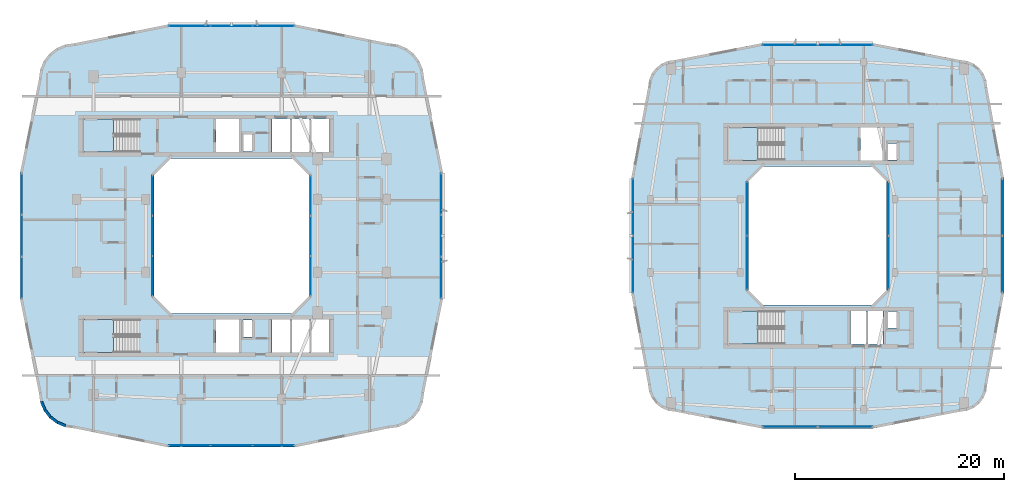
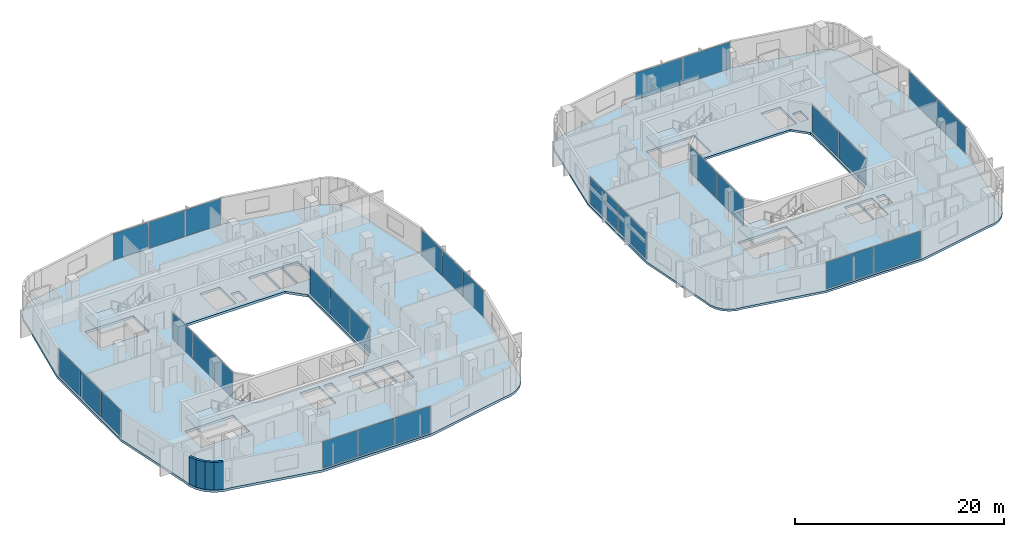
# One storey, part 11 of 26: 30 plates, 6 slabs, 4 walls, 16 elements without a shape of their own.
"""IFC4 building model written with IfcOpenShell, lengths in metres."""

from ifc_helpers import new_model, si_unit, derived_unit, direction, frame, frame_2d, origin, origin_2d, place, context, subcontext, project, spatial, polyline, rectangle, outline, extrude, material, layer, layer_set, type_object, element, aggregate, save


model = new_model("IFC4")

# Units and contexts
model_context = context("Model", 3, precision=1e-05, world=origin(), true_north=direction((0.0, 1.0)))
body_context = subcontext(model_context, "Body", "Model", "MODEL_VIEW")
ifc_project = project(units=[si_unit("LENGTHUNIT", "METRE"), si_unit("AREAUNIT", "SQUARE_METRE"), si_unit("VOLUMEUNIT", "CUBIC_METRE"), si_unit("PLANEANGLEUNIT", "RADIAN"), si_unit("MASSUNIT", "GRAM", prefix="KILO"), derived_unit("THERMALTRANSMITTANCEUNIT", [(si_unit("POWERUNIT", "WATT"), 1), (si_unit("LENGTHUNIT", "METRE"), -2), (si_unit("THERMODYNAMICTEMPERATUREUNIT", "KELVIN"), -1)])], contexts=[model_context])

# Site, building, storey
site_placement = place(None, origin())
site = spatial("IfcSite", under=ifc_project, at=site_placement, CompositionType="ELEMENT")
building_placement = place(site_placement, origin())
building = spatial("IfcBuilding", under=site, at=building_placement, Name="Kivonza Crest Hotel", CompositionType="ELEMENT")
storey_placement = place(building_placement, frame((0.0, 0.0, 105.5)))
storey = spatial("IfcBuildingStorey", under=building, at=storey_placement, Name="L28", CompositionType="ELEMENT", Elevation=105.5)

# Curtain wall, plates
ifc_material_1 = material(Name="Anodised bronze aluminium and low-E double glazing", Category="aluminium")
ifc_layer_1 = layer(ifc_material_1, 0.179931640625)
ifc_layer_set_1 = layer_set([ifc_layer_1], Name="Anodised bronze aluminium and low-E double glazing")
curtain_wall_type_1 = type_object("IfcCurtainWallType", Name="CW-SYS-2", PredefinedType="NOTDEFINED", material=ifc_layer_set_1)
curtain_wall_1_placement = place(storey_placement, origin())
curtain_wall_1 = element("IfcCurtainWall", 1, at=curtain_wall_1_placement, inside=storey, type_object=curtain_wall_type_1, Name="L28 unitised curtain wall CW-T1-L28-08", PredefinedType="NOTDEFINED")
ifc_material_2 = material(Name="Solar-control low-E double glazing", Category="glass")
ifc_layer_2 = layer(ifc_material_2, 0.028076171875)
ifc_layer_set_2 = layer_set([ifc_layer_2], Name="Solar-control low-E double glazing")
plate_type = type_object("IfcPlateType", Name="CW-PNL-28", PredefinedType="CURTAIN_PANEL", material=ifc_layer_set_2)
plate_1_placement = place(storey_placement, frame((17.0029296875, 4.9599609375, 0.06494140625), z_axis=(0.0, 0.0, 1.0), x_axis=(1.0, 0.0, 0.0)))
plate_1 = element("IfcPlate", 2, at=plate_1_placement, type_object=plate_type, Name="CW-2 panel 1.1", PredefinedType="CURTAIN_PANEL", context=body_context, shape_type="SweptSolid", body=[
    extrude(rectangle(XDim=3.915771484375, YDim=0.028076171875, at=origin_2d()), origin(), (0.0, 0.0, 1.0), 3.090087890625),
])
plate_2_placement = place(storey_placement, frame((21.0, 4.9599609375, 0.06494140625), z_axis=(0.0, 0.0, 1.0), x_axis=(1.0, 0.0, 0.0)))
plate_2 = element("IfcPlate", 3, at=plate_2_placement, type_object=plate_type, Name="CW-2 panel 2.1", PredefinedType="CURTAIN_PANEL", context=body_context, shape_type="SweptSolid", body=[
    extrude(rectangle(XDim=3.9482421875, YDim=0.028076171875, at=origin_2d()), origin(), (0.0, 0.0, 1.0), 3.090087890625),
])
plate_3_placement = place(storey_placement, frame((24.9970703125, 4.9599609375, 0.06494140625), z_axis=(0.0, 0.0, 1.0), x_axis=(1.0, 0.0, 0.0)))
plate_3 = element("IfcPlate", 4, at=plate_3_placement, type_object=plate_type, Name="CW-2 panel 3.1", PredefinedType="CURTAIN_PANEL", context=body_context, shape_type="SweptSolid", body=[
    extrude(rectangle(XDim=3.915771484375, YDim=0.028076171875, at=origin_2d()), origin(), (0.0, 0.0, 1.0), 3.090087890625),
])
aggregate(curtain_wall_1, [plate_1, plate_2, plate_3])

curtain_wall_2_placement = place(storey_placement, origin())
curtain_wall_2 = element("IfcCurtainWall", 5, at=curtain_wall_2_placement, inside=storey, type_object=curtain_wall_type_1, Name="L28 unitised curtain wall CW-T1-L28-17", PredefinedType="NOTDEFINED")
plate_4_placement = place(storey_placement, frame((41.0400390625, 21.0029296875, 0.06494140625), z_axis=(0.0, 0.0, 1.0), x_axis=(0.0, 1.0, 0.0)))
plate_4 = element("IfcPlate", 6, at=plate_4_placement, type_object=plate_type, Name="CW-2 panel 1.1", PredefinedType="CURTAIN_PANEL", context=body_context, shape_type="SweptSolid", body=[
    extrude(rectangle(XDim=3.915771484375, YDim=0.028076171875, at=origin_2d()), origin(), (0.0, 0.0, 1.0), 3.090087890625),
])
plate_5_placement = place(storey_placement, frame((41.0400390625, 25.0, 0.06494140625), z_axis=(0.0, 0.0, 1.0), x_axis=(0.0, 1.0, 0.0)))
plate_5 = element("IfcPlate", 7, at=plate_5_placement, type_object=plate_type, Name="CW-2 panel 2.1", PredefinedType="CURTAIN_PANEL", context=body_context, shape_type="SweptSolid", body=[
    extrude(rectangle(XDim=3.9482421875, YDim=0.028076171875, at=origin_2d()), origin(), (0.0, 0.0, 1.0), 3.090087890625),
])
plate_6_placement = place(storey_placement, frame((41.0400390625, 28.9970703125, 0.06494140625), z_axis=(0.0, 0.0, 1.0), x_axis=(0.0, 1.0, 0.0)))
plate_6 = element("IfcPlate", 8, at=plate_6_placement, type_object=plate_type, Name="CW-2 panel 3.1", PredefinedType="CURTAIN_PANEL", context=body_context, shape_type="SweptSolid", body=[
    extrude(rectangle(XDim=3.915771484375, YDim=0.028076171875, at=origin_2d()), origin(), (0.0, 0.0, 1.0), 3.090087890625),
])
aggregate(curtain_wall_2, [plate_4, plate_5, plate_6])

curtain_wall_3_placement = place(storey_placement, origin())
curtain_wall_3 = element("IfcCurtainWall", 9, at=curtain_wall_3_placement, inside=storey, type_object=curtain_wall_type_1, Name="L28 unitised curtain wall CW-T1-L28-26", PredefinedType="NOTDEFINED")
plate_7_placement = place(storey_placement, frame((24.9970703125, 45.0400390625, 0.06494140625), z_axis=(0.0, 0.0, 1.0), x_axis=(-1.0, 0.0, 0.0)))
plate_7 = element("IfcPlate", 10, at=plate_7_placement, type_object=plate_type, Name="CW-2 panel 1.1", PredefinedType="CURTAIN_PANEL", context=body_context, shape_type="SweptSolid", body=[
    extrude(rectangle(XDim=3.915771484375, YDim=0.028076171875, at=origin_2d()), origin(), (0.0, 0.0, 1.0), 3.090087890625),
])
plate_8_placement = place(storey_placement, frame((21.0, 45.0400390625, 0.06494140625), z_axis=(0.0, 0.0, 1.0), x_axis=(-1.0, 0.0, 0.0)))
plate_8 = element("IfcPlate", 11, at=plate_8_placement, type_object=plate_type, Name="CW-2 panel 2.1", PredefinedType="CURTAIN_PANEL", context=body_context, shape_type="SweptSolid", body=[
    extrude(rectangle(XDim=3.9482421875, YDim=0.028076171875, at=origin_2d()), origin(), (0.0, 0.0, 1.0), 3.090087890625),
])
plate_9_placement = place(storey_placement, frame((17.0029296875, 45.0400390625, 0.06494140625), z_axis=(0.0, 0.0, 1.0), x_axis=(-1.0, 0.0, 0.0)))
plate_9 = element("IfcPlate", 12, at=plate_9_placement, type_object=plate_type, Name="CW-2 panel 3.1", PredefinedType="CURTAIN_PANEL", context=body_context, shape_type="SweptSolid", body=[
    extrude(rectangle(XDim=3.915771484375, YDim=0.028076171875, at=origin_2d()), origin(), (0.0, 0.0, 1.0), 3.090087890625),
])
aggregate(curtain_wall_3, [plate_7, plate_8, plate_9])

curtain_wall_4_placement = place(storey_placement, origin())
curtain_wall_4 = element("IfcCurtainWall", 13, at=curtain_wall_4_placement, inside=storey, type_object=curtain_wall_type_1, Name="L28 unitised curtain wall CW-T1-L28-35", PredefinedType="NOTDEFINED")
plate_10_placement = place(storey_placement, frame((0.9599609375, 28.9970703125, 0.06494140625), z_axis=(0.0, 0.0, 1.0), x_axis=(0.0, -1.0, 0.0)))
plate_10 = element("IfcPlate", 14, at=plate_10_placement, type_object=plate_type, Name="CW-2 panel 1.1", PredefinedType="CURTAIN_PANEL", context=body_context, shape_type="SweptSolid", body=[
    extrude(rectangle(XDim=3.915771484375, YDim=0.028076171875, at=origin_2d()), origin(), (0.0, 0.0, 1.0), 3.090087890625),
])
plate_11_placement = place(storey_placement, frame((0.9599609375, 25.0, 0.06494140625), z_axis=(0.0, 0.0, 1.0), x_axis=(0.0, -1.0, 0.0)))
plate_11 = element("IfcPlate", 15, at=plate_11_placement, type_object=plate_type, Name="CW-2 panel 2.1", PredefinedType="CURTAIN_PANEL", context=body_context, shape_type="SweptSolid", body=[
    extrude(rectangle(XDim=3.9482421875, YDim=0.028076171875, at=origin_2d()), origin(), (0.0, 0.0, 1.0), 3.090087890625),
])
plate_12_placement = place(storey_placement, frame((0.9599609375, 21.0029296875, 0.06494140625), z_axis=(0.0, 0.0, 1.0), x_axis=(0.0, -1.0, 0.0)))
plate_12 = element("IfcPlate", 16, at=plate_12_placement, type_object=plate_type, Name="CW-2 panel 3.1", PredefinedType="CURTAIN_PANEL", context=body_context, shape_type="SweptSolid", body=[
    extrude(rectangle(XDim=3.915771484375, YDim=0.028076171875, at=origin_2d()), origin(), (0.0, 0.0, 1.0), 3.090087890625),
])
aggregate(curtain_wall_4, [plate_10, plate_11, plate_12])

ifc_layer_3 = layer(ifc_material_1, 0.159912109375)
ifc_layer_set_3 = layer_set([ifc_layer_3], Name="Anodised bronze aluminium and low-E double glazing")
curtain_wall_type_2 = type_object("IfcCurtainWallType", Name="CW-SYS-5", PredefinedType="NOTDEFINED", material=ifc_layer_set_3)
curtain_wall_5_placement = place(storey_placement, origin())
curtain_wall_5 = element("IfcCurtainWall", 17, at=curtain_wall_5_placement, inside=storey, type_object=curtain_wall_type_2, Name="L28 unitised curtain wall CW-WELL-T1-L28-3", PredefinedType="NOTDEFINED")
plate_13_placement = place(storey_placement, frame((28.56005859375, 21.149658203125, 0.06494140625), z_axis=(0.0, 0.0, 1.0), x_axis=(0.0, 1.0, 0.0)))
plate_13 = element("IfcPlate", 18, at=plate_13_placement, type_object=plate_type, Name="CW-5 panel 1.1", PredefinedType="CURTAIN_PANEL", context=body_context, shape_type="SweptSolid", body=[
    extrude(rectangle(XDim=3.769287109375, YDim=0.028076171875, at=origin_2d()), origin(), (0.0, 0.0, 1.0), 3.090087890625),
])
plate_14_placement = place(storey_placement, frame((28.56005859375, 25.0, 0.06494140625), z_axis=(0.0, 0.0, 1.0), x_axis=(0.0, 1.0, 0.0)))
plate_14 = element("IfcPlate", 19, at=plate_14_placement, type_object=plate_type, Name="CW-5 panel 2.1", PredefinedType="CURTAIN_PANEL", context=body_context, shape_type="SweptSolid", body=[
    extrude(rectangle(XDim=3.8017578125, YDim=0.028076171875, at=origin_2d()), origin(), (0.0, 0.0, 1.0), 3.090087890625),
])
plate_15_placement = place(storey_placement, frame((28.56005859375, 28.850341796875, 0.06494140625), z_axis=(0.0, 0.0, 1.0), x_axis=(0.0, 1.0, 0.0)))
plate_15 = element("IfcPlate", 20, at=plate_15_placement, type_object=plate_type, Name="CW-5 panel 3.1", PredefinedType="CURTAIN_PANEL", context=body_context, shape_type="SweptSolid", body=[
    extrude(rectangle(XDim=3.769287109375, YDim=0.028076171875, at=origin_2d()), origin(), (0.0, 0.0, 1.0), 3.090087890625),
])
aggregate(curtain_wall_5, [plate_13, plate_14, plate_15])

curtain_wall_6_placement = place(storey_placement, origin())
curtain_wall_6 = element("IfcCurtainWall", 21, at=curtain_wall_6_placement, inside=storey, type_object=curtain_wall_type_2, Name="L28 unitised curtain wall CW-WELL-T1-L28-7", PredefinedType="NOTDEFINED")
plate_16_placement = place(storey_placement, frame((13.43994140625, 28.850341796875, 0.06494140625), z_axis=(0.0, 0.0, 1.0), x_axis=(0.0, -1.0, 0.0)))
plate_16 = element("IfcPlate", 22, at=plate_16_placement, type_object=plate_type, Name="CW-5 panel 1.1", PredefinedType="CURTAIN_PANEL", context=body_context, shape_type="SweptSolid", body=[
    extrude(rectangle(XDim=3.769287109375, YDim=0.028076171875, at=origin_2d()), origin(), (0.0, 0.0, 1.0), 3.090087890625),
])
plate_17_placement = place(storey_placement, frame((13.43994140625, 25.0, 0.06494140625), z_axis=(0.0, 0.0, 1.0), x_axis=(0.0, -1.0, 0.0)))
plate_17 = element("IfcPlate", 23, at=plate_17_placement, type_object=plate_type, Name="CW-5 panel 2.1", PredefinedType="CURTAIN_PANEL", context=body_context, shape_type="SweptSolid", body=[
    extrude(rectangle(XDim=3.8017578125, YDim=0.028076171875, at=origin_2d()), origin(), (0.0, 0.0, 1.0), 3.090087890625),
])
plate_18_placement = place(storey_placement, frame((13.43994140625, 21.149658203125, 0.06494140625), z_axis=(0.0, 0.0, 1.0), x_axis=(0.0, -1.0, 0.0)))
plate_18 = element("IfcPlate", 24, at=plate_18_placement, type_object=plate_type, Name="CW-5 panel 3.1", PredefinedType="CURTAIN_PANEL", context=body_context, shape_type="SweptSolid", body=[
    extrude(rectangle(XDim=3.769287109375, YDim=0.028076171875, at=origin_2d()), origin(), (0.0, 0.0, 1.0), 3.090087890625),
])
aggregate(curtain_wall_6, [plate_16, plate_17, plate_18])

ifc_layer_4 = layer(ifc_material_1, 0.179931640625)
ifc_layer_set_4 = layer_set([ifc_layer_4], Name="Anodised bronze aluminium and low-E double glazing")
curtain_wall_type_3 = type_object("IfcCurtainWallType", Name="CW-SYS-4", PredefinedType="NOTDEFINED", material=ifc_layer_set_4)
curtain_wall_7_placement = place(storey_placement, origin())
curtain_wall_7 = element("IfcCurtainWall", 25, at=curtain_wall_7_placement, inside=storey, type_object=curtain_wall_type_3, Name="L28 unitised curtain wall CW-T2-L28-08", PredefinedType="NOTDEFINED")
plate_19_placement = place(storey_placement, frame((74.3662109375, 6.760009765625, 0.06494140625), z_axis=(0.0, 0.0, 1.0), x_axis=(1.0, 0.0, 0.0)))
plate_19 = element("IfcPlate", 26, at=plate_19_placement, type_object=plate_type, Name="CW-4 panel 1.1", PredefinedType="CURTAIN_PANEL", context=body_context, shape_type="SweptSolid", body=[
    extrude(rectangle(XDim=5.202392578125, YDim=0.028076171875, at=origin_2d()), origin(), (0.0, 0.0, 1.0), 3.1201171875),
])
plate_20_placement = place(storey_placement, frame((79.6337890625, 6.760009765625, 0.06494140625), z_axis=(0.0, 0.0, 1.0), x_axis=(1.0, 0.0, 0.0)))
plate_20 = element("IfcPlate", 27, at=plate_20_placement, type_object=plate_type, Name="CW-4 panel 2.1", PredefinedType="CURTAIN_PANEL", context=body_context, shape_type="SweptSolid", body=[
    extrude(rectangle(XDim=5.202392578125, YDim=0.028076171875, at=origin_2d()), origin(), (0.0, 0.0, 1.0), 3.1201171875),
])
aggregate(curtain_wall_7, [plate_19, plate_20])

curtain_wall_8_placement = place(storey_placement, origin())
curtain_wall_8 = element("IfcCurtainWall", 28, at=curtain_wall_8_placement, inside=storey, type_object=curtain_wall_type_3, Name="L28 unitised curtain wall CW-T2-L28-17", PredefinedType="NOTDEFINED")
plate_21_placement = place(storey_placement, frame((94.639892578125, 22.2763671875, 0.06494140625), z_axis=(0.0, 0.0, 1.0), x_axis=(0.0, 1.0, 0.0)))
plate_21 = element("IfcPlate", 29, at=plate_21_placement, type_object=plate_type, Name="CW-4 panel 1.1", PredefinedType="CURTAIN_PANEL", context=body_context, shape_type="SweptSolid", body=[
    extrude(rectangle(XDim=5.382568359375, YDim=0.028076171875, at=origin_2d()), origin(), (0.0, 0.0, 1.0), 3.1201171875),
])
plate_22_placement = place(storey_placement, frame((94.639892578125, 27.7236328125, 0.06494140625), z_axis=(0.0, 0.0, 1.0), x_axis=(0.0, 1.0, 0.0)))
plate_22 = element("IfcPlate", 30, at=plate_22_placement, type_object=plate_type, Name="CW-4 panel 2.1", PredefinedType="CURTAIN_PANEL", context=body_context, shape_type="SweptSolid", body=[
    extrude(rectangle(XDim=5.382568359375, YDim=0.028076171875, at=origin_2d()), origin(), (0.0, 0.0, 1.0), 3.1201171875),
])
aggregate(curtain_wall_8, [plate_21, plate_22])

curtain_wall_9_placement = place(storey_placement, origin())
curtain_wall_9 = element("IfcCurtainWall", 31, at=curtain_wall_9_placement, inside=storey, type_object=curtain_wall_type_3, Name="L28 unitised curtain wall CW-T2-L28-26", PredefinedType="NOTDEFINED")
plate_23_placement = place(storey_placement, frame((79.6337890625, 43.239990234375, 0.06494140625), z_axis=(0.0, 0.0, 1.0), x_axis=(-1.0, 0.0, 0.0)))
plate_23 = element("IfcPlate", 32, at=plate_23_placement, type_object=plate_type, Name="CW-4 panel 1.1", PredefinedType="CURTAIN_PANEL", context=body_context, shape_type="SweptSolid", body=[
    extrude(rectangle(XDim=5.202392578125, YDim=0.028076171875, at=origin_2d()), origin(), (0.0, 0.0, 1.0), 3.1201171875),
])
plate_24_placement = place(storey_placement, frame((74.3662109375, 43.239990234375, 0.06494140625), z_axis=(0.0, 0.0, 1.0), x_axis=(-1.0, 0.0, 0.0)))
plate_24 = element("IfcPlate", 33, at=plate_24_placement, type_object=plate_type, Name="CW-4 panel 2.1", PredefinedType="CURTAIN_PANEL", context=body_context, shape_type="SweptSolid", body=[
    extrude(rectangle(XDim=5.202392578125, YDim=0.028076171875, at=origin_2d()), origin(), (0.0, 0.0, 1.0), 3.1201171875),
])
aggregate(curtain_wall_9, [plate_23, plate_24])

curtain_wall_10_placement = place(storey_placement, origin())
curtain_wall_10 = element("IfcCurtainWall", 34, at=curtain_wall_10_placement, inside=storey, type_object=curtain_wall_type_3, Name="L28 unitised curtain wall CW-T2-L28-35", PredefinedType="NOTDEFINED")
plate_25_placement = place(storey_placement, frame((59.360107421875, 27.7236328125, 0.06494140625), z_axis=(0.0, 0.0, 1.0), x_axis=(0.0, -1.0, 0.0)))
plate_25 = element("IfcPlate", 35, at=plate_25_placement, type_object=plate_type, Name="CW-4 panel 1.1", PredefinedType="CURTAIN_PANEL", context=body_context, shape_type="SweptSolid", body=[
    extrude(rectangle(XDim=5.382568359375, YDim=0.028076171875, at=origin_2d()), origin(), (0.0, 0.0, 1.0), 3.1201171875),
])
plate_26_placement = place(storey_placement, frame((59.360107421875, 22.2763671875, 0.06494140625), z_axis=(0.0, 0.0, 1.0), x_axis=(0.0, -1.0, 0.0)))
plate_26 = element("IfcPlate", 36, at=plate_26_placement, type_object=plate_type, Name="CW-4 panel 2.1", PredefinedType="CURTAIN_PANEL", context=body_context, shape_type="SweptSolid", body=[
    extrude(rectangle(XDim=5.382568359375, YDim=0.028076171875, at=origin_2d()), origin(), (0.0, 0.0, 1.0), 3.1201171875),
])
aggregate(curtain_wall_10, [plate_25, plate_26])

curtain_wall_11_placement = place(storey_placement, origin())
curtain_wall_11 = element("IfcCurtainWall", 37, at=curtain_wall_11_placement, inside=storey, type_object=curtain_wall_type_2, Name="L28 unitised curtain wall CW-WELL-T2-L28-3", PredefinedType="NOTDEFINED")
plate_27_placement = place(storey_placement, frame((83.760009765625, 22.416259765625, 0.06494140625), z_axis=(0.0, 0.0, 1.0), x_axis=(0.0, 1.0, 0.0)))
plate_27 = element("IfcPlate", 38, at=plate_27_placement, type_object=plate_type, Name="CW-5 panel 1.1", PredefinedType="CURTAIN_PANEL", context=body_context, shape_type="SweptSolid", body=[
    extrude(rectangle(XDim=5.1025390625, YDim=0.028076171875, at=origin_2d()), origin(), (0.0, 0.0, 1.0), 3.1201171875),
])
plate_28_placement = place(storey_placement, frame((83.760009765625, 27.583740234375, 0.06494140625), z_axis=(0.0, 0.0, 1.0), x_axis=(0.0, 1.0, 0.0)))
plate_28 = element("IfcPlate", 39, at=plate_28_placement, type_object=plate_type, Name="CW-5 panel 2.1", PredefinedType="CURTAIN_PANEL", context=body_context, shape_type="SweptSolid", body=[
    extrude(rectangle(XDim=5.1025390625, YDim=0.028076171875, at=origin_2d()), origin(), (0.0, 0.0, 1.0), 3.1201171875),
])
aggregate(curtain_wall_11, [plate_27, plate_28])

curtain_wall_12_placement = place(storey_placement, origin())
curtain_wall_12 = element("IfcCurtainWall", 40, at=curtain_wall_12_placement, inside=storey, type_object=curtain_wall_type_2, Name="L28 unitised curtain wall CW-WELL-T2-L28-7", PredefinedType="NOTDEFINED")
plate_29_placement = place(storey_placement, frame((70.239990234375, 27.583740234375, 0.06494140625), z_axis=(0.0, 0.0, 1.0), x_axis=(0.0, -1.0, 0.0)))
plate_29 = element("IfcPlate", 41, at=plate_29_placement, type_object=plate_type, Name="CW-5 panel 1.1", PredefinedType="CURTAIN_PANEL", context=body_context, shape_type="SweptSolid", body=[
    extrude(rectangle(XDim=5.1025390625, YDim=0.028076171875, at=origin_2d()), origin(), (0.0, 0.0, 1.0), 3.1201171875),
])
plate_30_placement = place(storey_placement, frame((70.239990234375, 22.416259765625, 0.06494140625), z_axis=(0.0, 0.0, 1.0), x_axis=(0.0, -1.0, 0.0)))
plate_30 = element("IfcPlate", 42, at=plate_30_placement, type_object=plate_type, Name="CW-5 panel 2.1", PredefinedType="CURTAIN_PANEL", context=body_context, shape_type="SweptSolid", body=[
    extrude(rectangle(XDim=5.1025390625, YDim=0.028076171875, at=origin_2d()), origin(), (0.0, 0.0, 1.0), 3.1201171875),
])
aggregate(curtain_wall_12, [plate_29, plate_30])

# Slab
ifc_material_3 = material(Name="Concrete C40/50", Category="concrete")
ifc_layer_5 = layer(ifc_material_3, 0.280029296875)
ifc_layer_set_5 = layer_set([ifc_layer_5], Name="Concrete C40/50")
slab_type_1 = type_object("IfcSlabType", Name="SL-HTL-280", PredefinedType="FLOOR", material=ifc_layer_set_5)
slab_1_placement = place(storey_placement, frame((0.0, 0.0, -0.280029296875)))
element("IfcSlab", 43, at=slab_1_placement, inside=storey, type_object=slab_type_1, Name="Tower T1 L28 floor slab", PredefinedType="FLOOR", context=body_context, shape_type="SweptSolid", body=[
    extrude(outline(polyline([(2.60009765625, 10.0), (2.716064453125, 9.1201171875), (3.055908203125, 8.300048828125), (3.595947265625, 7.595947265625), (4.300048828125, 7.055908203125), (5.1201171875, 6.716064453125), (6.0, 6.60009765625), (14.93994140625, 4.800048828125), (27.06005859375, 4.800048828125), (36.0, 6.60009765625), (36.8798828125, 6.716064453125), (37.699951171875, 7.055908203125), (38.404052734375, 7.595947265625), (38.944091796875, 8.300048828125), (39.283935546875, 9.1201171875), (39.39990234375, 10.0), (41.199951171875, 18.93994140625), (41.199951171875, 31.06005859375), (39.39990234375, 40.0), (39.283935546875, 40.8798828125), (38.944091796875, 41.699951171875), (38.404052734375, 42.404052734375), (37.699951171875, 42.944091796875), (36.8798828125, 43.283935546875), (36.0, 43.39990234375), (27.06005859375, 45.199951171875), (14.93994140625, 45.199951171875), (6.0, 43.39990234375), (5.1201171875, 43.283935546875), (4.300048828125, 42.944091796875), (3.595947265625, 42.404052734375), (3.055908203125, 41.699951171875), (2.716064453125, 40.8798828125), (2.60009765625, 40.0), (0.800048828125, 31.06005859375), (0.800048828125, 18.93994140625), (2.60009765625, 10.0)]), holes=[polyline([(15.199951171875, 17.60009765625), (26.800048828125, 17.60009765625), (28.39990234375, 19.199951171875), (28.39990234375, 30.800048828125), (26.800048828125, 32.39990234375), (15.199951171875, 32.39990234375), (13.60009765625, 30.800048828125), (13.60009765625, 19.199951171875), (15.199951171875, 17.60009765625)]), polyline([(6.800048828125, 33.02001953125), (12.159912109375, 33.02001953125), (12.159912109375, 36.159912109375), (6.800048828125, 36.159912109375), (6.800048828125, 33.02001953125)]), polyline([(6.800048828125, 13.860107421875), (12.159912109375, 13.860107421875), (12.159912109375, 17.0), (6.800048828125, 17.0), (6.800048828125, 13.860107421875)]), polyline([(22.080078125, 33.0400390625), (22.969970703125, 33.0400390625), (22.969970703125, 34.679931640625), (22.080078125, 34.679931640625), (22.080078125, 33.0400390625)]), polyline([(22.080078125, 15.320068359375), (22.969970703125, 15.320068359375), (22.969970703125, 16.9599609375), (22.080078125, 16.9599609375), (22.080078125, 15.320068359375)]), polyline([(19.5, 33.0), (21.699951171875, 33.0), (21.699951171875, 36.159912109375), (19.5, 36.159912109375), (19.5, 33.0)]), polyline([(24.860107421875, 33.0), (26.60693359375, 33.0), (26.60693359375, 36.159912109375), (24.860107421875, 36.159912109375), (24.860107421875, 33.0)]), polyline([(26.72705078125, 33.0), (28.472900390625, 33.0), (28.472900390625, 36.159912109375), (26.72705078125, 36.159912109375), (26.72705078125, 33.0)]), polyline([(28.593017578125, 33.0), (30.340087890625, 33.0), (30.340087890625, 36.159912109375), (28.593017578125, 36.159912109375), (28.593017578125, 33.0)]), polyline([(19.5, 13.840087890625), (21.699951171875, 13.840087890625), (21.699951171875, 17.0), (19.5, 17.0), (19.5, 13.840087890625)]), polyline([(24.860107421875, 13.840087890625), (26.60693359375, 13.840087890625), (26.60693359375, 17.0), (24.860107421875, 17.0), (24.860107421875, 13.840087890625)]), polyline([(26.72705078125, 13.840087890625), (28.472900390625, 13.840087890625), (28.472900390625, 17.0), (26.72705078125, 17.0), (26.72705078125, 13.840087890625)]), polyline([(28.593017578125, 13.840087890625), (30.340087890625, 13.840087890625), (30.340087890625, 17.0), (28.593017578125, 17.0), (28.593017578125, 13.840087890625)])]), origin(), (0.0, 0.0, 1.0), 0.280029296875),
])

# Stair, slab
stair_type = type_object("IfcStairType", Name="ST-DL-20R", PredefinedType="HALF_TURN_STAIR", material=ifc_material_3)
stair_1_placement = place(storey_placement, origin())
stair_1 = element("IfcStair", 44, at=stair_1_placement, inside=storey, type_object=stair_type, Name="L28 Protected Exit Stair ST-T1-N", PredefinedType="HALF_TURN_STAIR")
ifc_layer_6 = layer(ifc_material_3, 0.199951171875)
ifc_layer_set_6 = layer_set([ifc_layer_6], Name="Concrete C40/50")
slab_type_2 = type_object("IfcSlabType", Name="SL-LAND-200", PredefinedType="LANDING", material=ifc_layer_set_6)
slab_2_placement = place(storey_placement, frame((0.0, 0.0, 1.550048828125)))
slab_2 = element("IfcSlab", 45, at=slab_2_placement, type_object=slab_type_2, Name="ST-T1-N landing 1", PredefinedType="LANDING", context=body_context, shape_type="SweptSolid", body=[
    extrude(outline(polyline([(9.719970703125, 36.159912109375), (6.800048828125, 36.159912109375), (6.800048828125, 33.02001953125), (9.719970703125, 33.02001953125), (9.719970703125, 36.159912109375)])), origin(), (0.0, 0.0, 1.0), 0.199951171875),
])
aggregate(stair_1, [slab_2])

stair_2_placement = place(storey_placement, origin())
stair_2 = element("IfcStair", 46, at=stair_2_placement, inside=storey, type_object=stair_type, Name="L28 Protected Exit Stair ST-T1-S", PredefinedType="HALF_TURN_STAIR")
slab_3_placement = place(storey_placement, frame((0.0, 0.0, 1.550048828125)))
slab_3 = element("IfcSlab", 47, at=slab_3_placement, type_object=slab_type_2, Name="ST-T1-S landing 1", PredefinedType="LANDING", context=body_context, shape_type="SweptSolid", body=[
    extrude(outline(polyline([(9.719970703125, 17.0), (6.800048828125, 17.0), (6.800048828125, 13.860107421875), (9.719970703125, 13.860107421875), (9.719970703125, 17.0)])), origin(), (0.0, 0.0, 1.0), 0.199951171875),
])
aggregate(stair_2, [slab_3])

stair_3_placement = place(storey_placement, origin())
stair_3 = element("IfcStair", 48, at=stair_3_placement, inside=storey, type_object=stair_type, Name="L28 Protected Exit Stair ST-T2-N", PredefinedType="HALF_TURN_STAIR")
slab_4_placement = place(storey_placement, frame((0.0, 0.0, 1.550048828125)))
slab_4 = element("IfcSlab", 49, at=slab_4_placement, type_object=slab_type_2, Name="ST-T2-N landing 1", PredefinedType="LANDING", context=body_context, shape_type="SweptSolid", body=[
    extrude(outline(polyline([(71.320068359375, 35.360107421875), (68.39990234375, 35.360107421875), (68.39990234375, 32.219970703125), (71.320068359375, 32.219970703125), (71.320068359375, 35.360107421875)])), origin(), (0.0, 0.0, 1.0), 0.199951171875),
])
aggregate(stair_3, [slab_4])

stair_4_placement = place(storey_placement, origin())
stair_4 = element("IfcStair", 50, at=stair_4_placement, inside=storey, type_object=stair_type, Name="L28 Protected Exit Stair ST-T2-S", PredefinedType="HALF_TURN_STAIR")
slab_5_placement = place(storey_placement, frame((0.0, 0.0, 1.550048828125)))
slab_5 = element("IfcSlab", 51, at=slab_5_placement, type_object=slab_type_2, Name="ST-T2-S landing 1", PredefinedType="LANDING", context=body_context, shape_type="SweptSolid", body=[
    extrude(outline(polyline([(71.320068359375, 17.800048828125), (68.39990234375, 17.800048828125), (68.39990234375, 14.659912109375), (71.320068359375, 14.659912109375), (71.320068359375, 17.800048828125)])), origin(), (0.0, 0.0, 1.0), 0.199951171875),
])
aggregate(stair_4, [slab_5])

# Slab
ifc_layer_7 = layer(ifc_material_3, 0.25)
ifc_layer_set_7 = layer_set([ifc_layer_7], Name="Concrete C40/50")
slab_type_3 = type_object("IfcSlabType", Name="SL-RES-250", PredefinedType="FLOOR", material=ifc_layer_set_7)
slab_6_placement = place(storey_placement, frame((0.0, 0.0, -0.25)))
element("IfcSlab", 52, at=slab_6_placement, inside=storey, type_object=slab_type_3, Name="Companion Tower T2 L28 floor slab", PredefinedType="FLOOR", context=body_context, shape_type="SweptSolid", body=[
    extrude(outline(polyline([(60.800048828125, 10.800048828125), (60.888916015625, 10.126953125), (61.14794921875, 9.5), (61.56201171875, 8.9619140625), (62.10009765625, 8.548095703125), (62.72705078125, 8.2890625), (63.39990234375, 8.199951171875), (71.659912109375, 6.60009765625), (82.340087890625, 6.60009765625), (90.60009765625, 8.199951171875), (91.27294921875, 8.2890625), (91.89990234375, 8.548095703125), (92.43798828125, 8.9619140625), (92.85205078125, 9.5), (93.111083984375, 10.126953125), (93.199951171875, 10.800048828125), (94.800048828125, 19.47998046875), (94.800048828125, 30.52001953125), (93.199951171875, 39.199951171875), (93.111083984375, 39.873046875), (92.85205078125, 40.5), (92.43798828125, 41.0380859375), (91.89990234375, 41.451904296875), (91.27294921875, 41.7109375), (90.60009765625, 41.800048828125), (82.340087890625, 43.39990234375), (71.659912109375, 43.39990234375), (63.39990234375, 41.800048828125), (62.72705078125, 41.7109375), (62.10009765625, 41.451904296875), (61.56201171875, 41.0380859375), (61.14794921875, 40.5), (60.888916015625, 39.873046875), (60.800048828125, 39.199951171875), (59.199951171875, 30.52001953125), (59.199951171875, 19.47998046875), (60.800048828125, 10.800048828125)]), holes=[polyline([(71.800048828125, 18.39990234375), (82.199951171875, 18.39990234375), (83.60009765625, 19.800048828125), (83.60009765625, 30.199951171875), (82.199951171875, 31.60009765625), (71.800048828125, 31.60009765625), (70.39990234375, 30.199951171875), (70.39990234375, 19.800048828125), (71.800048828125, 18.39990234375)]), polyline([(68.39990234375, 32.219970703125), (73.760009765625, 32.219970703125), (73.760009765625, 35.360107421875), (68.39990234375, 35.360107421875), (68.39990234375, 32.219970703125)]), polyline([(68.39990234375, 14.659912109375), (73.760009765625, 14.659912109375), (73.760009765625, 17.800048828125), (68.39990234375, 17.800048828125), (68.39990234375, 14.659912109375)]), polyline([(83.679931640625, 32.239990234375), (84.570068359375, 32.239990234375), (84.570068359375, 33.820068359375), (83.679931640625, 33.820068359375), (83.679931640625, 32.239990234375)]), polyline([(83.679931640625, 16.179931640625), (84.570068359375, 16.179931640625), (84.570068359375, 17.760009765625), (83.679931640625, 17.760009765625), (83.679931640625, 16.179931640625)]), polyline([(81.10009765625, 32.199951171875), (83.199951171875, 32.199951171875), (83.199951171875, 35.360107421875), (81.10009765625, 35.360107421875), (81.10009765625, 32.199951171875)]), polyline([(80.159912109375, 14.639892578125), (81.639892578125, 14.639892578125), (81.639892578125, 17.800048828125), (80.159912109375, 17.800048828125), (80.159912109375, 14.639892578125)]), polyline([(81.760009765625, 14.639892578125), (83.239990234375, 14.639892578125), (83.239990234375, 17.800048828125), (81.760009765625, 17.800048828125), (81.760009765625, 14.639892578125)])]), origin(), (0.0, 0.0, 1.0), 0.25),
])

# Walls
ifc_material_4 = material(Name="Precast concrete C40/50", Category="concrete")
ifc_layer_8 = layer(ifc_material_4, 0.260009765625)
ifc_layer_set_8 = layer_set([ifc_layer_8], Name="Precast concrete C40/50")
wall_type = type_object("IfcWallType", Name="WL-EXT-260", PredefinedType="STANDARD", material=ifc_layer_set_8)
wall_1_placement = place(storey_placement, frame((2.825927734375, 9.193115234375, 0.0), z_axis=(0.0, 0.0, 1.0), x_axis=(0.383290660547, -0.923627776508, 0.0)))
element("IfcWall", 53, at=wall_1_placement, inside=storey, type_object=wall_type, Name="L28 T1 exterior insulated wall 2", PredefinedType="STANDARD", context=body_context, shape_type="SweptSolid", body=[
    extrude(rectangle(XDim=0.9033203125, YDim=0.260009765625, at=frame_2d((0.45166015625, 0.0))), origin(), (0.0, 0.0, 1.0), 3.219970703125),
])
wall_2_placement = place(storey_placement, frame((3.14404296875, 8.39892578125, 0.0), z_axis=(0.0, 0.0, 1.0), x_axis=(0.608624690463, -0.793458244748, 0.0)))
element("IfcWall", 54, at=wall_2_placement, inside=storey, type_object=wall_type, Name="L28 T1 exterior insulated wall 3", PredefinedType="STANDARD", context=body_context, shape_type="SweptSolid", body=[
    extrude(rectangle(XDim=0.902099609375, YDim=0.260009765625, at=frame_2d((0.451171875, 0.0))), origin(), (0.0, 0.0, 1.0), 3.219970703125),
])
wall_3_placement = place(storey_placement, frame((3.655029296875, 7.714111328125, 0.0), z_axis=(0.0, 0.0, 1.0), x_axis=(0.793558456666, -0.608494022858, 0.0)))
element("IfcWall", 55, at=wall_3_placement, inside=storey, type_object=wall_type, Name="L28 T1 exterior insulated wall 4", PredefinedType="STANDARD", context=body_context, shape_type="SweptSolid", body=[
    extrude(rectangle(XDim=0.90234375, YDim=0.260009765625, at=frame_2d((0.451171875, 0.0))), origin(), (0.0, 0.0, 1.0), 3.219970703125),
])
wall_4_placement = place(storey_placement, frame((4.326904296875, 7.18603515625, 0.0), z_axis=(0.0, 0.0, 1.0), x_axis=(0.923683767999, -0.383155708213, 0.0)))
element("IfcWall", 56, at=wall_4_placement, inside=storey, type_object=wall_type, Name="L28 T1 exterior insulated wall 5", PredefinedType="STANDARD", context=body_context, shape_type="SweptSolid", body=[
    extrude(rectangle(XDim=0.90283203125, YDim=0.260009765625, at=frame_2d((0.451416015625, 0.0))), origin(), (0.0, 0.0, 1.0), 3.219970703125),
])

save(model, "model.ifc")
